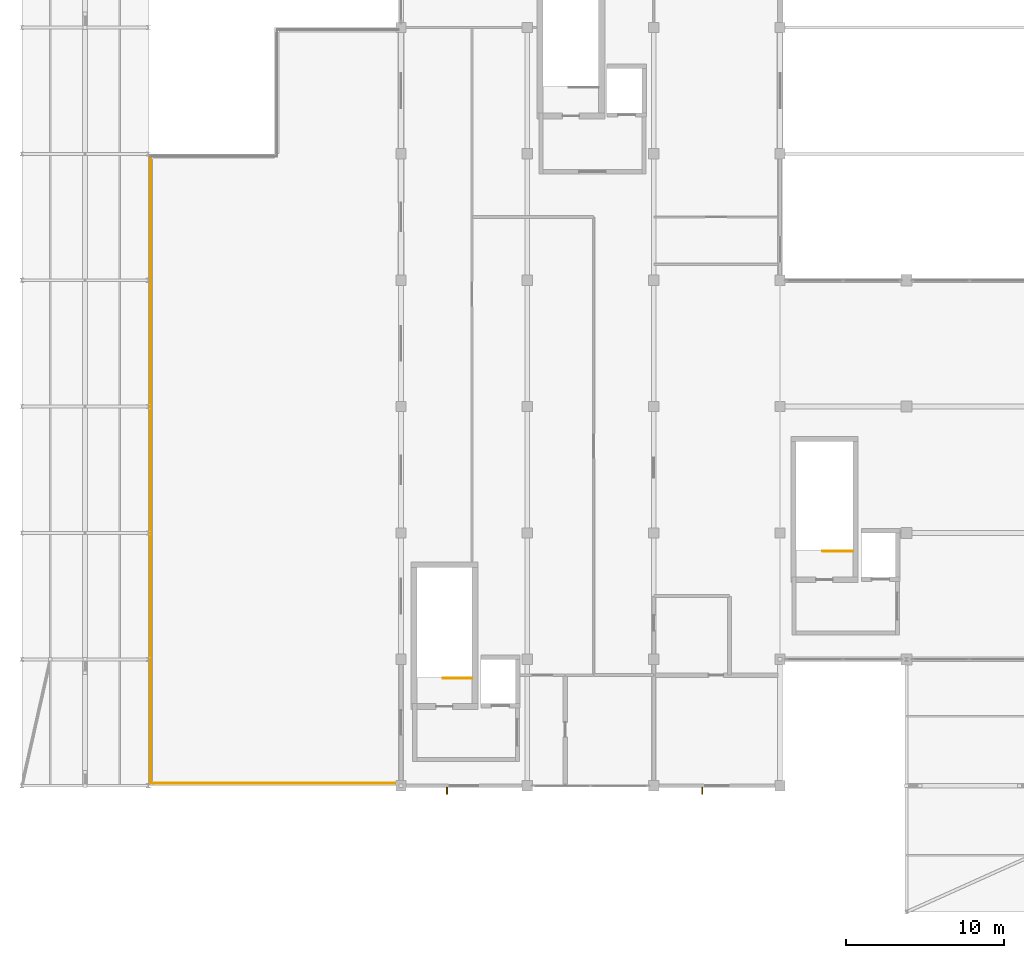
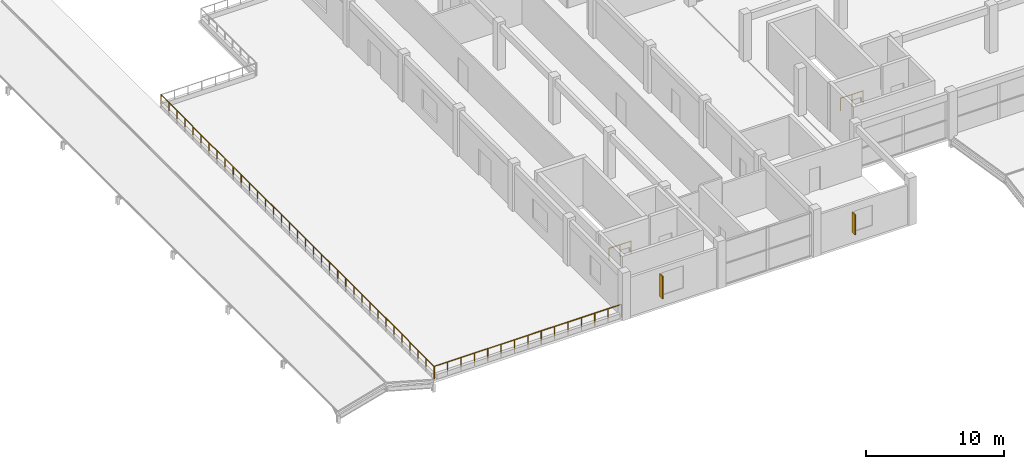
# One storey, part 59 of 67: 4 railings, 2 shading devices.
"""IFC4 building model written with IfcOpenShell, lengths in metres."""

from ifc_helpers import new_model, si_unit, direction, frame, origin, origin_2d, place, context, subcontext, project, spatial, rectangle, circle, extrude, material, type_object, element, save


model = new_model("IFC4")

# Units and contexts
model_context = context("Model", 3, precision=1e-05, world=origin(), true_north=direction((0.0, 1.0)))
body_context = subcontext(model_context, "Body", "Model", "MODEL_VIEW")
ifc_project = project(units=[si_unit("LENGTHUNIT", "METRE"), si_unit("AREAUNIT", "SQUARE_METRE"), si_unit("VOLUMEUNIT", "CUBIC_METRE"), si_unit("PLANEANGLEUNIT", "RADIAN"), si_unit("MASSUNIT", "GRAM", prefix="KILO")], contexts=[model_context])

# Site, building, storey
site_placement = place(None, origin())
site = spatial("IfcSite", under=ifc_project, at=site_placement, CompositionType="ELEMENT")
building_placement = place(site_placement, origin())
building = spatial("IfcBuilding", under=site, at=building_placement, Name="Kenh Van Central Station", CompositionType="ELEMENT")
storey_placement = place(building_placement, frame((0.0, 0.0, 10.800048828125)))
storey = spatial("IfcBuildingStorey", under=building, at=storey_placement, Name="L02", CompositionType="ELEMENT", Elevation=10.800048828125)

# Railings
ifc_material_1 = material(Name="Champagne anodised aluminium", Category="aluminium")
railing_type_1 = type_object("IfcRailingType", Name="RAIL-CORE-GRD110", PredefinedType="GUARDRAIL", material=ifc_material_1)
railing_1_placement = place(storey_placement, frame((28.5, 14.800048828125, 0.0)))
element("IfcRailing", 1, at=railing_1_placement, inside=storey, type_object=railing_type_1, Name="L02 ST-01 top well guard 1", PredefinedType="GUARDRAIL", context=body_context, shape_type="SweptSolid", body=[
    extrude(circle(Radius=0.02392578125, at=origin_2d()), frame((0.0, 0.0, 1.076171875), z_axis=(-1.0, 0.0, 0.0), x_axis=(0.0, -1.0, 0.0)), (0.0, 0.0, 1.0), 1.85009765625),
    extrude(circle(Radius=0.02099609375, at=origin_2d()), origin(), (0.0, 0.0, 1.0), 1.052001953125),
    extrude(circle(Radius=0.02099609375, at=origin_2d()), frame((-0.925048828125, 0.0, 0.0)), (0.0, 0.0, 1.0), 1.052001953125),
    extrude(circle(Radius=0.02099609375, at=origin_2d()), frame((-1.85009765625, 0.0, 0.0)), (0.0, 0.0, 1.0), 1.052001953125),
])
railing_2_placement = place(storey_placement, frame((52.60009765625, 22.85009765625, 0.0)))
element("IfcRailing", 2, at=railing_2_placement, inside=storey, type_object=railing_type_1, Name="L02 ST-03 top well guard 1", PredefinedType="GUARDRAIL", context=body_context, shape_type="SweptSolid", body=[
    extrude(circle(Radius=0.02392578125, at=origin_2d()), frame((0.0, 0.0, 1.076171875), z_axis=(-1.0, 0.0, 0.0), x_axis=(0.0, -1.0, 0.0)), (0.0, 0.0, 1.0), 1.900146484375),
    extrude(circle(Radius=0.02099609375, at=origin_2d()), origin(), (0.0, 0.0, 1.0), 1.052001953125),
    extrude(circle(Radius=0.02099609375, at=origin_2d()), frame((-0.9501953125, 0.0, 0.0)), (0.0, 0.0, 1.0), 1.052001953125),
    extrude(circle(Radius=0.02099609375, at=origin_2d()), frame((-1.900146484375, 0.0, 0.0)), (0.0, 0.0, 1.0), 1.052001953125),
])
railing_type_2 = type_object("IfcRailingType", Name="RAIL-TERR-GRD115", PredefinedType="GUARDRAIL", material=ifc_material_1)
railing_3_placement = place(storey_placement, frame((8.14990234375, 8.14990234375, 0.0)))
element("IfcRailing", 3, at=railing_3_placement, inside=storey, type_object=railing_type_2, Name="L02 terrace guardrail 01", PredefinedType="GUARDRAIL", context=body_context, shape_type="SweptSolid", body=[
    extrude(circle(Radius=0.02392578125, at=origin_2d()), frame((0.0, 0.0, 1.1259765625), z_axis=(1.0, 0.0, 0.0), x_axis=(0.0, 1.0, 0.0)), (0.0, 0.0, 1.0), 15.7001953125),
    extrude(circle(Radius=0.02099609375, at=origin_2d()), origin(), (0.0, 0.0, 1.0), 1.101806640625),
    extrude(circle(Radius=0.02099609375, at=origin_2d()), frame((1.121337890625, 0.0, 0.0)), (0.0, 0.0, 1.0), 1.101806640625),
    extrude(circle(Radius=0.02099609375, at=origin_2d()), frame((2.242919921875, 0.0, 0.0)), (0.0, 0.0, 1.0), 1.101806640625),
    extrude(circle(Radius=0.02099609375, at=origin_2d()), frame((3.3642578125, 0.0, 0.0)), (0.0, 0.0, 1.0), 1.101806640625),
    extrude(circle(Radius=0.02099609375, at=origin_2d()), frame((4.48583984375, 0.0, 0.0)), (0.0, 0.0, 1.0), 1.101806640625),
    extrude(circle(Radius=0.02099609375, at=origin_2d()), frame((5.607177734375, 0.0, 0.0)), (0.0, 0.0, 1.0), 1.101806640625),
    extrude(circle(Radius=0.02099609375, at=origin_2d()), frame((6.728759765625, 0.0, 0.0)), (0.0, 0.0, 1.0), 1.101806640625),
    extrude(circle(Radius=0.02099609375, at=origin_2d()), frame((7.85009765625, 0.0, 0.0)), (0.0, 0.0, 1.0), 1.101806640625),
    extrude(circle(Radius=0.02099609375, at=origin_2d()), frame((8.971435546875, 0.0, 0.0)), (0.0, 0.0, 1.0), 1.101806640625),
    extrude(circle(Radius=0.02099609375, at=origin_2d()), frame((10.093017578125, 0.0, 0.0)), (0.0, 0.0, 1.0), 1.101806640625),
    extrude(circle(Radius=0.02099609375, at=origin_2d()), frame((11.21435546875, 0.0, 0.0)), (0.0, 0.0, 1.0), 1.101806640625),
    extrude(circle(Radius=0.02099609375, at=origin_2d()), frame((12.3359375, 0.0, 0.0)), (0.0, 0.0, 1.0), 1.101806640625),
    extrude(circle(Radius=0.02099609375, at=origin_2d()), frame((13.457275390625, 0.0, 0.0)), (0.0, 0.0, 1.0), 1.101806640625),
    extrude(circle(Radius=0.02099609375, at=origin_2d()), frame((14.578857421875, 0.0, 0.0)), (0.0, 0.0, 1.0), 1.101806640625),
    extrude(circle(Radius=0.02099609375, at=origin_2d()), frame((15.7001953125, 0.0, 0.0)), (0.0, 0.0, 1.0), 1.101806640625),
])
railing_4_placement = place(storey_placement, frame((8.14990234375, 8.14990234375, 0.0)))
element("IfcRailing", 4, at=railing_4_placement, inside=storey, type_object=railing_type_2, Name="L02 terrace guardrail 02", PredefinedType="GUARDRAIL", context=body_context, shape_type="SweptSolid", body=[
    extrude(circle(Radius=0.02392578125, at=origin_2d()), frame((0.0, 0.0, 1.1259765625), z_axis=(0.0, 1.0, 0.0), x_axis=(-1.0, 0.0, 0.0)), (0.0, 0.0, 1.0), 39.7001953125),
    extrude(circle(Radius=0.02099609375, at=origin_2d()), origin(), (0.0, 0.0, 1.0), 1.101806640625),
    extrude(circle(Radius=0.02099609375, at=origin_2d()), frame((0.0, 1.167724609375, 0.0)), (0.0, 0.0, 1.0), 1.101806640625),
    extrude(circle(Radius=0.02099609375, at=origin_2d()), frame((0.0, 2.335205078125, 0.0)), (0.0, 0.0, 1.0), 1.101806640625),
    extrude(circle(Radius=0.02099609375, at=origin_2d()), frame((0.0, 3.5029296875, 0.0)), (0.0, 0.0, 1.0), 1.101806640625),
    extrude(circle(Radius=0.02099609375, at=origin_2d()), frame((0.0, 4.670654296875, 0.0)), (0.0, 0.0, 1.0), 1.101806640625),
    extrude(circle(Radius=0.02099609375, at=origin_2d()), frame((0.0, 5.83837890625, 0.0)), (0.0, 0.0, 1.0), 1.101806640625),
    extrude(circle(Radius=0.02099609375, at=origin_2d()), frame((0.0, 7.005859375, 0.0)), (0.0, 0.0, 1.0), 1.101806640625),
    extrude(circle(Radius=0.02099609375, at=origin_2d()), frame((0.0, 8.173583984375, 0.0)), (0.0, 0.0, 1.0), 1.101806640625),
    extrude(circle(Radius=0.02099609375, at=origin_2d()), frame((0.0, 9.34130859375, 0.0)), (0.0, 0.0, 1.0), 1.101806640625),
    extrude(circle(Radius=0.02099609375, at=origin_2d()), frame((0.0, 10.5087890625, 0.0)), (0.0, 0.0, 1.0), 1.101806640625),
    extrude(circle(Radius=0.02099609375, at=origin_2d()), frame((0.0, 11.676513671875, 0.0)), (0.0, 0.0, 1.0), 1.101806640625),
    extrude(circle(Radius=0.02099609375, at=origin_2d()), frame((0.0, 12.84423828125, 0.0)), (0.0, 0.0, 1.0), 1.101806640625),
    extrude(circle(Radius=0.02099609375, at=origin_2d()), frame((0.0, 14.01171875, 0.0)), (0.0, 0.0, 1.0), 1.101806640625),
    extrude(circle(Radius=0.02099609375, at=origin_2d()), frame((0.0, 15.179443359375, 0.0)), (0.0, 0.0, 1.0), 1.101806640625),
    extrude(circle(Radius=0.02099609375, at=origin_2d()), frame((0.0, 16.34716796875, 0.0)), (0.0, 0.0, 1.0), 1.101806640625),
    extrude(circle(Radius=0.02099609375, at=origin_2d()), frame((0.0, 17.514892578125, 0.0)), (0.0, 0.0, 1.0), 1.101806640625),
    extrude(circle(Radius=0.02099609375, at=origin_2d()), frame((0.0, 18.682373046875, 0.0)), (0.0, 0.0, 1.0), 1.101806640625),
    extrude(circle(Radius=0.02099609375, at=origin_2d()), frame((0.0, 19.85009765625, 0.0)), (0.0, 0.0, 1.0), 1.101806640625),
    extrude(circle(Radius=0.02099609375, at=origin_2d()), frame((0.0, 21.017822265625, 0.0)), (0.0, 0.0, 1.0), 1.101806640625),
    extrude(circle(Radius=0.02099609375, at=origin_2d()), frame((0.0, 22.185302734375, 0.0)), (0.0, 0.0, 1.0), 1.101806640625),
    extrude(circle(Radius=0.02099609375, at=origin_2d()), frame((0.0, 23.35302734375, 0.0)), (0.0, 0.0, 1.0), 1.101806640625),
    extrude(circle(Radius=0.02099609375, at=origin_2d()), frame((0.0, 24.520751953125, 0.0)), (0.0, 0.0, 1.0), 1.101806640625),
    extrude(circle(Radius=0.02099609375, at=origin_2d()), frame((0.0, 25.6884765625, 0.0)), (0.0, 0.0, 1.0), 1.101806640625),
    extrude(circle(Radius=0.02099609375, at=origin_2d()), frame((0.0, 26.85595703125, 0.0)), (0.0, 0.0, 1.0), 1.101806640625),
    extrude(circle(Radius=0.02099609375, at=origin_2d()), frame((0.0, 28.023681640625, 0.0)), (0.0, 0.0, 1.0), 1.101806640625),
    extrude(circle(Radius=0.02099609375, at=origin_2d()), frame((0.0, 29.19140625, 0.0)), (0.0, 0.0, 1.0), 1.101806640625),
    extrude(circle(Radius=0.02099609375, at=origin_2d()), frame((0.0, 30.35888671875, 0.0)), (0.0, 0.0, 1.0), 1.101806640625),
    extrude(circle(Radius=0.02099609375, at=origin_2d()), frame((0.0, 31.526611328125, 0.0)), (0.0, 0.0, 1.0), 1.101806640625),
    extrude(circle(Radius=0.02099609375, at=origin_2d()), frame((0.0, 32.6943359375, 0.0)), (0.0, 0.0, 1.0), 1.101806640625),
    extrude(circle(Radius=0.02099609375, at=origin_2d()), frame((0.0, 33.86181640625, 0.0)), (0.0, 0.0, 1.0), 1.101806640625),
    extrude(circle(Radius=0.02099609375, at=origin_2d()), frame((0.0, 35.029541015625, 0.0)), (0.0, 0.0, 1.0), 1.101806640625),
    extrude(circle(Radius=0.02099609375, at=origin_2d()), frame((0.0, 36.197265625, 0.0)), (0.0, 0.0, 1.0), 1.101806640625),
    extrude(circle(Radius=0.02099609375, at=origin_2d()), frame((0.0, 37.364990234375, 0.0)), (0.0, 0.0, 1.0), 1.101806640625),
    extrude(circle(Radius=0.02099609375, at=origin_2d()), frame((0.0, 38.532470703125, 0.0)), (0.0, 0.0, 1.0), 1.101806640625),
    extrude(circle(Radius=0.02099609375, at=origin_2d()), frame((0.0, 39.7001953125, 0.0)), (0.0, 0.0, 1.0), 1.101806640625),
])

# Shading devices
ifc_material_2 = material(Name="Precast concrete C40/50", Category="concrete")
shading_device_type = type_object("IfcShadingDeviceType", Name="SHD-FIN-SHT", PredefinedType="SHUTTER", material=ifc_material_2)
shading_device_1_placement = place(storey_placement, frame((26.919921875, 7.675048828125, 0.949951171875), z_axis=(0.0, 0.0, 1.0), x_axis=(0.0, -1.0, 0.0)))
element("IfcShadingDevice", 5, at=shading_device_1_placement, inside=storey, type_object=shading_device_type, Name="L02 vertical brise-soleil fin 007", PredefinedType="SHUTTER", context=body_context, shape_type="SweptSolid", body=[
    extrude(rectangle(XDim=0.449951171875, YDim=0.080078125, at=origin_2d()), origin(), (0.0, 0.0, 1.0), 2.0),
])
shading_device_2_placement = place(storey_placement, frame((43.070068359375, 7.6875, 0.94970703125), z_axis=(0.0, 0.0, 1.0), x_axis=(0.0, -1.0, 0.0)))
element("IfcShadingDevice", 6, at=shading_device_2_placement, inside=storey, type_object=shading_device_type, Name="L02 vertical brise-soleil fin 008", PredefinedType="SHUTTER", context=body_context, shape_type="SweptSolid", body=[
    extrude(rectangle(XDim=0.449951171875, YDim=0.080078125, at=origin_2d()), origin(), (0.0, 0.0, 1.0), 1.800048828125),
])

save(model, "model.ifc")
